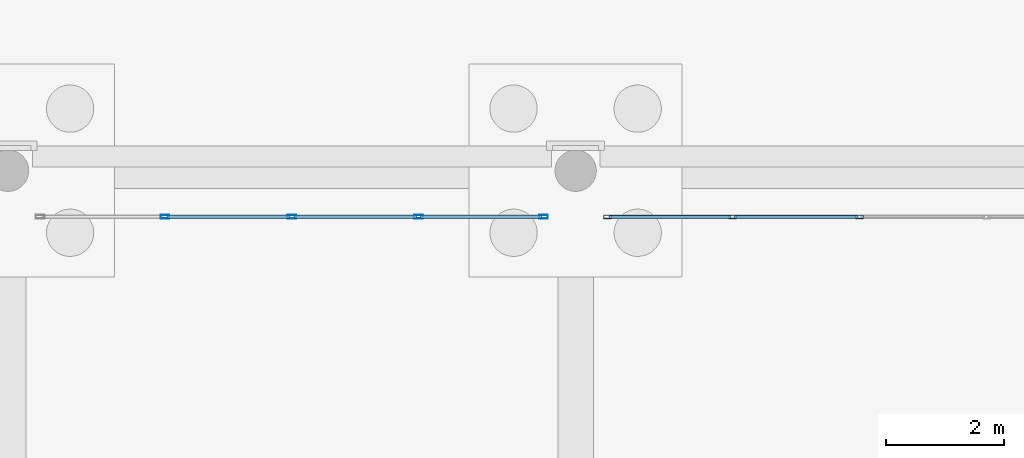
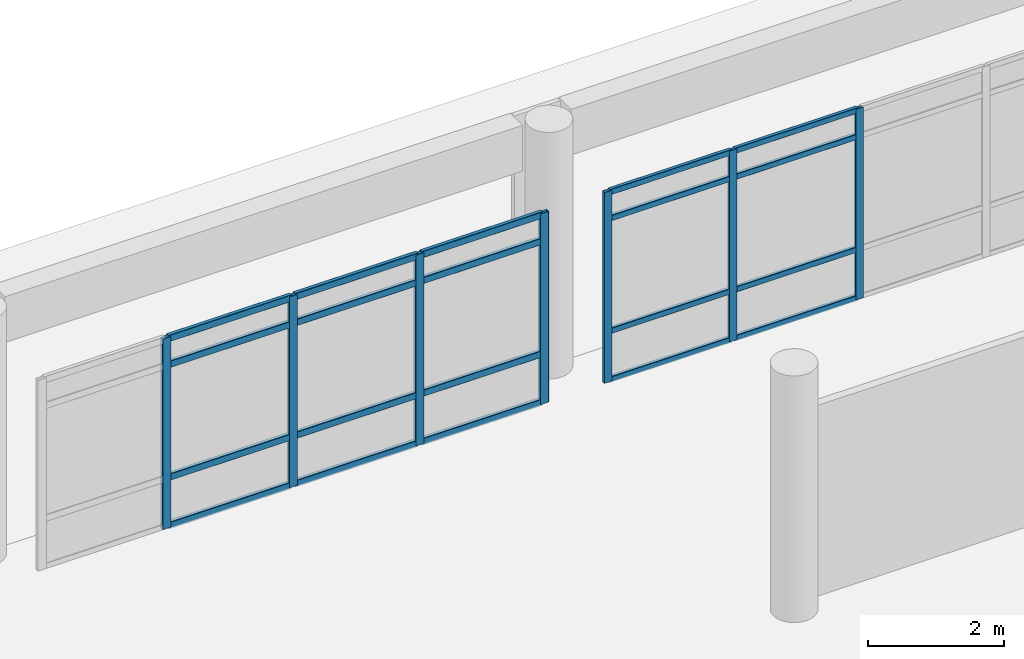
# One storey, part 137 of 196: 27 members, 2 elements without a shape of their own.
"""IFC4 building model written with IfcOpenShell, lengths in metres."""

from ifc_helpers import new_model, si_unit, direction, frame, origin, origin_2d, place, context, subcontext, project, spatial, hollow_rectangle, extrude, material, layer, layer_set, material_profile, profile_set, type_object, element, aggregate, save


model = new_model("IFC4")

# Units and contexts
model_context = context("Model", 3, precision=1e-05, world=origin(), true_north=direction((0.0, 1.0)))
body_context = subcontext(model_context, "Body", "Model", "MODEL_VIEW")
ifc_project = project(units=[si_unit("LENGTHUNIT", "METRE"), si_unit("AREAUNIT", "SQUARE_METRE"), si_unit("VOLUMEUNIT", "CUBIC_METRE"), si_unit("PLANEANGLEUNIT", "RADIAN"), si_unit("MASSUNIT", "GRAM", prefix="KILO")], contexts=[model_context])

# Site, building, storey
site_placement = place(None, origin())
site = spatial("IfcSite", under=ifc_project, at=site_placement, CompositionType="ELEMENT")
building_placement = place(site_placement, origin())
building = spatial("IfcBuilding", under=site, at=building_placement, Name="Asteropetra Specialist Clinic", CompositionType="ELEMENT")
storey_placement = place(building_placement, origin())
storey = spatial("IfcBuildingStorey", under=building, at=storey_placement, Name="L00", CompositionType="ELEMENT", Elevation=0.0)

# Curtain wall, members
ifc_material_1 = material(Name="Aluminium and low-E glass", Category="aluminium")
ifc_layer_1 = layer(ifc_material_1, 0.14990234375)
ifc_layer_set_1 = layer_set([ifc_layer_1], Name="Aluminium and low-E glass")
curtain_wall_type_1 = type_object("IfcCurtainWallType", Name="CW-SYS-11", PredefinedType="USERDEFINED", material=ifc_layer_set_1)
curtain_wall_1_placement = place(storey_placement, origin())
curtain_wall_1 = element("IfcCurtainWall", 1, at=curtain_wall_1_placement, inside=storey, type_object=curtain_wall_type_1, Name="Curtain Wall CW-212", ObjectType="STICK GLAZED COLONNADE", PredefinedType="USERDEFINED")
ifc_material_2 = material(Name="Aluminium 6063-T6", Category="aluminium")
ifc_material_profile_1 = material_profile(ifc_material_2, hollow_rectangle(XDim=0.06005859375, YDim=0.135009765625, WallThickness=0.00341796875, InnerFilletRadius=0.00341796875, OuterFilletRadius=0.007080078125, at=origin_2d()), Name="MUL 135x60x3.5")
ifc_profile_set_1 = profile_set([ifc_material_profile_1], Name="Aluminium 6063-T6")
member_type_1 = type_object("IfcMemberType", Name="CWM-135x60", PredefinedType="MULLION", material=ifc_profile_set_1)
member_1_placement = place(storey_placement, frame((139.199951171875, 104.820068359375, 0.0), z_axis=(0.0, 0.0, 1.0), x_axis=(0.0, -1.0, 0.0)))
member_1 = element("IfcMember", 2, at=member_1_placement, type_object=member_type_1, Name="CW-212 mullion 3", PredefinedType="MULLION", context=body_context, shape_type="SweptSolid", body=[
    extrude(hollow_rectangle(XDim=0.06005859375, YDim=0.135009765625, WallThickness=0.00341796875, InnerFilletRadius=0.00341796875, OuterFilletRadius=0.007080078125, at=origin_2d()), origin(), (0.0, 0.0, 1.0), 3.419921875),
])
member_2_placement = place(storey_placement, frame((137.054931640625, 104.820068359375, 0.0), z_axis=(0.0, 0.0, 1.0), x_axis=(0.0, -1.0, 0.0)))
member_2 = element("IfcMember", 3, at=member_2_placement, type_object=member_type_1, Name="CW-212 mullion 4", PredefinedType="MULLION", context=body_context, shape_type="SweptSolid", body=[
    extrude(hollow_rectangle(XDim=0.06005859375, YDim=0.135009765625, WallThickness=0.00341796875, InnerFilletRadius=0.00341796875, OuterFilletRadius=0.007080078125, at=origin_2d()), origin(), (0.0, 0.0, 1.0), 3.419921875),
])
member_3_placement = place(storey_placement, frame((134.93994140625, 104.820068359375, 0.0), z_axis=(0.0, 0.0, 1.0), x_axis=(0.0, -1.0, 0.0)))
member_3 = element("IfcMember", 4, at=member_3_placement, type_object=member_type_1, Name="CW-212 mullion 5", PredefinedType="MULLION", context=body_context, shape_type="SweptSolid", body=[
    extrude(hollow_rectangle(XDim=0.06005859375, YDim=0.135009765625, WallThickness=0.00341796875, InnerFilletRadius=0.00341796875, OuterFilletRadius=0.007080078125, at=origin_2d()), origin(), (0.0, 0.0, 1.0), 3.419921875),
])

ifc_material_3 = material(Name="Aluminium and low-E glass", Category="aluminium")
ifc_layer_2 = layer(ifc_material_3, 0.135009765625)
ifc_layer_set_2 = layer_set([ifc_layer_2], Name="Aluminium and low-E glass")
curtain_wall_type_2 = type_object("IfcCurtainWallType", Name="CW-SYS-09", PredefinedType="USERDEFINED", material=ifc_layer_set_2)
curtain_wall_2_placement = place(storey_placement, origin())
curtain_wall_2 = element("IfcCurtainWall", 5, at=curtain_wall_2_placement, inside=storey, type_object=curtain_wall_type_2, Name="Curtain Wall CW-211", ObjectType="STICK GLAZED COLONNADE", PredefinedType="USERDEFINED")
ifc_material_4 = material(Name="Aluminium 6063-T6", Category="aluminium")
ifc_material_profile_2 = material_profile(ifc_material_4, hollow_rectangle(XDim=0.06494140625, YDim=0.14990234375, WallThickness=0.00390625, InnerFilletRadius=0.00390625, OuterFilletRadius=0.008056640625, at=origin_2d()), Name="MUL 150x65x4.0")
ifc_profile_set_2 = profile_set([ifc_material_profile_2], Name="Aluminium 6063-T6")
member_type_2 = type_object("IfcMemberType", Name="CWM-150x65", PredefinedType="MULLION", material=ifc_profile_set_2)
member_4_placement = place(storey_placement, frame((133.857421875, 104.820068359375, 0.0), z_axis=(0.0, 0.0, 1.0), x_axis=(0.0, -1.0, 0.0)))
member_4 = element("IfcMember", 6, at=member_4_placement, type_object=member_type_2, Name="CW-211 mullion 1", PredefinedType="MULLION", context=body_context, shape_type="SweptSolid", body=[
    extrude(hollow_rectangle(XDim=0.06494140625, YDim=0.14990234375, WallThickness=0.00390625, InnerFilletRadius=0.00390625, OuterFilletRadius=0.008056640625, at=origin_2d()), origin(), (0.0, 0.0, 1.0), 3.419921875),
])
member_5_placement = place(storey_placement, frame((131.7451171875, 104.820068359375, 0.0), z_axis=(0.0, 0.0, 1.0), x_axis=(0.0, -1.0, 0.0)))
member_5 = element("IfcMember", 7, at=member_5_placement, type_object=member_type_2, Name="CW-211 mullion 2", PredefinedType="MULLION", context=body_context, shape_type="SweptSolid", body=[
    extrude(hollow_rectangle(XDim=0.06494140625, YDim=0.14990234375, WallThickness=0.00390625, InnerFilletRadius=0.00390625, OuterFilletRadius=0.008056640625, at=origin_2d()), origin(), (0.0, 0.0, 1.0), 3.419921875),
])
member_6_placement = place(storey_placement, frame((129.60009765625, 104.820068359375, 0.0), z_axis=(0.0, 0.0, 1.0), x_axis=(0.0, -1.0, 0.0)))
member_6 = element("IfcMember", 8, at=member_6_placement, type_object=member_type_2, Name="CW-211 mullion 3", PredefinedType="MULLION", context=body_context, shape_type="SweptSolid", body=[
    extrude(hollow_rectangle(XDim=0.06494140625, YDim=0.14990234375, WallThickness=0.00390625, InnerFilletRadius=0.00390625, OuterFilletRadius=0.008056640625, at=origin_2d()), origin(), (0.0, 0.0, 1.0), 3.419921875),
])
member_7_placement = place(storey_placement, frame((127.455078125, 104.820068359375, 0.0), z_axis=(0.0, 0.0, 1.0), x_axis=(0.0, -1.0, 0.0)))
member_7 = element("IfcMember", 9, at=member_7_placement, type_object=member_type_2, Name="CW-211 mullion 4", PredefinedType="MULLION", context=body_context, shape_type="SweptSolid", body=[
    extrude(hollow_rectangle(XDim=0.06494140625, YDim=0.14990234375, WallThickness=0.00390625, InnerFilletRadius=0.00390625, OuterFilletRadius=0.008056640625, at=origin_2d()), origin(), (0.0, 0.0, 1.0), 3.419921875),
])

# Member
ifc_material_5 = material(Name="Aluminium 6063-T6", Category="aluminium")
ifc_material_profile_3 = material_profile(ifc_material_5, hollow_rectangle(XDim=0.06005859375, YDim=0.10009765625, WallThickness=0.00341796875, InnerFilletRadius=0.00341796875, OuterFilletRadius=0.007080078125, at=origin_2d()), Name="TRN 100x60x3.5")
ifc_profile_set_3 = profile_set([ifc_material_profile_3], Name="Aluminium 6063-T6")
member_type_3 = type_object("IfcMemberType", Name="CWT-100x60", PredefinedType="USERDEFINED", material=ifc_profile_set_3)
member_8_placement = place(storey_placement, frame((139.169921875, 104.820068359375, 0.030029296875), z_axis=(-1.0, 0.0, 0.0), x_axis=(0.0, -1.0, 0.0)))
member_8 = element("IfcMember", 10, at=member_8_placement, type_object=member_type_3, Name="CW-212 transom 3.1", ObjectType="TRANSOM", PredefinedType="USERDEFINED", context=body_context, shape_type="SweptSolid", body=[
    extrude(hollow_rectangle(XDim=0.06005859375, YDim=0.10009765625, WallThickness=0.00341796875, InnerFilletRadius=0.00341796875, OuterFilletRadius=0.007080078125, at=origin_2d()), origin(), (0.0, 0.0, 1.0), 2.0849609375),
])

member_9_placement = place(storey_placement, frame((139.169921875, 104.820068359375, 0.89990234375), z_axis=(-1.0, 0.0, 0.0), x_axis=(0.0, -1.0, 0.0)))
member_9 = element("IfcMember", 11, at=member_9_placement, type_object=member_type_3, Name="CW-212 transom 3.2", ObjectType="TRANSOM", PredefinedType="USERDEFINED", context=body_context, shape_type="SweptSolid", body=[
    extrude(hollow_rectangle(XDim=0.06005859375, YDim=0.10009765625, WallThickness=0.00341796875, InnerFilletRadius=0.00341796875, OuterFilletRadius=0.007080078125, at=origin_2d()), origin(), (0.0, 0.0, 1.0), 2.0849609375),
])

member_10_placement = place(storey_placement, frame((139.169921875, 104.820068359375, 2.919921875), z_axis=(-1.0, 0.0, 0.0), x_axis=(0.0, -1.0, 0.0)))
member_10 = element("IfcMember", 12, at=member_10_placement, type_object=member_type_3, Name="CW-212 transom 3.3", ObjectType="TRANSOM", PredefinedType="USERDEFINED", context=body_context, shape_type="SweptSolid", body=[
    extrude(hollow_rectangle(XDim=0.06005859375, YDim=0.10009765625, WallThickness=0.00341796875, InnerFilletRadius=0.00341796875, OuterFilletRadius=0.007080078125, at=origin_2d()), origin(), (0.0, 0.0, 1.0), 2.0849609375),
])

member_11_placement = place(storey_placement, frame((139.169921875, 104.820068359375, 3.389892578125), z_axis=(-1.0, 0.0, 0.0), x_axis=(0.0, -1.0, 0.0)))
member_11 = element("IfcMember", 13, at=member_11_placement, type_object=member_type_3, Name="CW-212 transom 3.4", ObjectType="TRANSOM", PredefinedType="USERDEFINED", context=body_context, shape_type="SweptSolid", body=[
    extrude(hollow_rectangle(XDim=0.06005859375, YDim=0.10009765625, WallThickness=0.00341796875, InnerFilletRadius=0.00341796875, OuterFilletRadius=0.007080078125, at=origin_2d()), origin(), (0.0, 0.0, 1.0), 2.0849609375),
])

member_12_placement = place(storey_placement, frame((137.02490234375, 104.820068359375, 0.030029296875), z_axis=(-1.0, 0.0, 0.0), x_axis=(0.0, -1.0, 0.0)))
member_12 = element("IfcMember", 14, at=member_12_placement, type_object=member_type_3, Name="CW-212 transom 4.1", ObjectType="TRANSOM", PredefinedType="USERDEFINED", context=body_context, shape_type="SweptSolid", body=[
    extrude(hollow_rectangle(XDim=0.06005859375, YDim=0.10009765625, WallThickness=0.00341796875, InnerFilletRadius=0.00341796875, OuterFilletRadius=0.007080078125, at=origin_2d()), origin(), (0.0, 0.0, 1.0), 2.054931640625),
])

member_13_placement = place(storey_placement, frame((137.02490234375, 104.820068359375, 0.89990234375), z_axis=(-1.0, 0.0, 0.0), x_axis=(0.0, -1.0, 0.0)))
member_13 = element("IfcMember", 15, at=member_13_placement, type_object=member_type_3, Name="CW-212 transom 4.2", ObjectType="TRANSOM", PredefinedType="USERDEFINED", context=body_context, shape_type="SweptSolid", body=[
    extrude(hollow_rectangle(XDim=0.06005859375, YDim=0.10009765625, WallThickness=0.00341796875, InnerFilletRadius=0.00341796875, OuterFilletRadius=0.007080078125, at=origin_2d()), origin(), (0.0, 0.0, 1.0), 2.054931640625),
])

member_14_placement = place(storey_placement, frame((137.02490234375, 104.820068359375, 2.919921875), z_axis=(-1.0, 0.0, 0.0), x_axis=(0.0, -1.0, 0.0)))
member_14 = element("IfcMember", 16, at=member_14_placement, type_object=member_type_3, Name="CW-212 transom 4.3", ObjectType="TRANSOM", PredefinedType="USERDEFINED", context=body_context, shape_type="SweptSolid", body=[
    extrude(hollow_rectangle(XDim=0.06005859375, YDim=0.10009765625, WallThickness=0.00341796875, InnerFilletRadius=0.00341796875, OuterFilletRadius=0.007080078125, at=origin_2d()), origin(), (0.0, 0.0, 1.0), 2.054931640625),
])

member_15_placement = place(storey_placement, frame((137.02490234375, 104.820068359375, 3.389892578125), z_axis=(-1.0, 0.0, 0.0), x_axis=(0.0, -1.0, 0.0)))
member_15 = element("IfcMember", 17, at=member_15_placement, type_object=member_type_3, Name="CW-212 transom 4.4", ObjectType="TRANSOM", PredefinedType="USERDEFINED", context=body_context, shape_type="SweptSolid", body=[
    extrude(hollow_rectangle(XDim=0.06005859375, YDim=0.10009765625, WallThickness=0.00341796875, InnerFilletRadius=0.00341796875, OuterFilletRadius=0.007080078125, at=origin_2d()), origin(), (0.0, 0.0, 1.0), 2.054931640625),
])

aggregate(curtain_wall_1, [member_1, member_2, member_3, member_8, member_9, member_10, member_11, member_12, member_13, member_14, member_15])

ifc_material_6 = material(Name="Aluminium 6063-T6", Category="aluminium")
ifc_material_profile_4 = material_profile(ifc_material_6, hollow_rectangle(XDim=0.06494140625, YDim=0.1201171875, WallThickness=0.00390625, InnerFilletRadius=0.00390625, OuterFilletRadius=0.008056640625, at=origin_2d()), Name="TRN 120x65x4.0")
ifc_profile_set_4 = profile_set([ifc_material_profile_4], Name="Aluminium 6063-T6")
member_type_4 = type_object("IfcMemberType", Name="CWT-120x65", PredefinedType="USERDEFINED", material=ifc_profile_set_4)
member_16_placement = place(storey_placement, frame((133.824951171875, 104.820068359375, 0.032470703125), z_axis=(-1.0, 0.0, 0.0), x_axis=(0.0, -1.0, 0.0)))
member_16 = element("IfcMember", 18, at=member_16_placement, type_object=member_type_4, Name="CW-211 transom 1.1", ObjectType="TRANSOM", PredefinedType="USERDEFINED", context=body_context, shape_type="SweptSolid", body=[
    extrude(hollow_rectangle(XDim=0.06494140625, YDim=0.1201171875, WallThickness=0.00390625, InnerFilletRadius=0.00390625, OuterFilletRadius=0.008056640625, at=origin_2d()), origin(), (0.0, 0.0, 1.0), 2.04736328125),
])

member_17_placement = place(storey_placement, frame((133.824951171875, 104.820068359375, 0.89990234375), z_axis=(-1.0, 0.0, 0.0), x_axis=(0.0, -1.0, 0.0)))
member_17 = element("IfcMember", 19, at=member_17_placement, type_object=member_type_4, Name="CW-211 transom 1.2", ObjectType="TRANSOM", PredefinedType="USERDEFINED", context=body_context, shape_type="SweptSolid", body=[
    extrude(hollow_rectangle(XDim=0.06494140625, YDim=0.1201171875, WallThickness=0.00390625, InnerFilletRadius=0.00390625, OuterFilletRadius=0.008056640625, at=origin_2d()), origin(), (0.0, 0.0, 1.0), 2.04736328125),
])

member_18_placement = place(storey_placement, frame((133.824951171875, 104.820068359375, 2.919921875), z_axis=(-1.0, 0.0, 0.0), x_axis=(0.0, -1.0, 0.0)))
member_18 = element("IfcMember", 20, at=member_18_placement, type_object=member_type_4, Name="CW-211 transom 1.3", ObjectType="TRANSOM", PredefinedType="USERDEFINED", context=body_context, shape_type="SweptSolid", body=[
    extrude(hollow_rectangle(XDim=0.06494140625, YDim=0.1201171875, WallThickness=0.00390625, InnerFilletRadius=0.00390625, OuterFilletRadius=0.008056640625, at=origin_2d()), origin(), (0.0, 0.0, 1.0), 2.04736328125),
])

member_19_placement = place(storey_placement, frame((133.824951171875, 104.820068359375, 3.387451171875), z_axis=(-1.0, 0.0, 0.0), x_axis=(0.0, -1.0, 0.0)))
member_19 = element("IfcMember", 21, at=member_19_placement, type_object=member_type_4, Name="CW-211 transom 1.4", ObjectType="TRANSOM", PredefinedType="USERDEFINED", context=body_context, shape_type="SweptSolid", body=[
    extrude(hollow_rectangle(XDim=0.06494140625, YDim=0.1201171875, WallThickness=0.00390625, InnerFilletRadius=0.00390625, OuterFilletRadius=0.008056640625, at=origin_2d()), origin(), (0.0, 0.0, 1.0), 2.04736328125),
])

member_20_placement = place(storey_placement, frame((131.71240234375, 104.820068359375, 0.032470703125), z_axis=(-1.0, 0.0, 0.0), x_axis=(0.0, -1.0, 0.0)))
member_20 = element("IfcMember", 22, at=member_20_placement, type_object=member_type_4, Name="CW-211 transom 2.1", ObjectType="TRANSOM", PredefinedType="USERDEFINED", context=body_context, shape_type="SweptSolid", body=[
    extrude(hollow_rectangle(XDim=0.06494140625, YDim=0.1201171875, WallThickness=0.00390625, InnerFilletRadius=0.00390625, OuterFilletRadius=0.008056640625, at=origin_2d()), origin(), (0.0, 0.0, 1.0), 2.079833984375),
])

member_21_placement = place(storey_placement, frame((131.71240234375, 104.820068359375, 0.89990234375), z_axis=(-1.0, 0.0, 0.0), x_axis=(0.0, -1.0, 0.0)))
member_21 = element("IfcMember", 23, at=member_21_placement, type_object=member_type_4, Name="CW-211 transom 2.2", ObjectType="TRANSOM", PredefinedType="USERDEFINED", context=body_context, shape_type="SweptSolid", body=[
    extrude(hollow_rectangle(XDim=0.06494140625, YDim=0.1201171875, WallThickness=0.00390625, InnerFilletRadius=0.00390625, OuterFilletRadius=0.008056640625, at=origin_2d()), origin(), (0.0, 0.0, 1.0), 2.079833984375),
])

member_22_placement = place(storey_placement, frame((131.71240234375, 104.820068359375, 2.919921875), z_axis=(-1.0, 0.0, 0.0), x_axis=(0.0, -1.0, 0.0)))
member_22 = element("IfcMember", 24, at=member_22_placement, type_object=member_type_4, Name="CW-211 transom 2.3", ObjectType="TRANSOM", PredefinedType="USERDEFINED", context=body_context, shape_type="SweptSolid", body=[
    extrude(hollow_rectangle(XDim=0.06494140625, YDim=0.1201171875, WallThickness=0.00390625, InnerFilletRadius=0.00390625, OuterFilletRadius=0.008056640625, at=origin_2d()), origin(), (0.0, 0.0, 1.0), 2.079833984375),
])

member_23_placement = place(storey_placement, frame((131.71240234375, 104.820068359375, 3.387451171875), z_axis=(-1.0, 0.0, 0.0), x_axis=(0.0, -1.0, 0.0)))
member_23 = element("IfcMember", 25, at=member_23_placement, type_object=member_type_4, Name="CW-211 transom 2.4", ObjectType="TRANSOM", PredefinedType="USERDEFINED", context=body_context, shape_type="SweptSolid", body=[
    extrude(hollow_rectangle(XDim=0.06494140625, YDim=0.1201171875, WallThickness=0.00390625, InnerFilletRadius=0.00390625, OuterFilletRadius=0.008056640625, at=origin_2d()), origin(), (0.0, 0.0, 1.0), 2.079833984375),
])

member_24_placement = place(storey_placement, frame((129.5673828125, 104.820068359375, 0.032470703125), z_axis=(-1.0, 0.0, 0.0), x_axis=(0.0, -1.0, 0.0)))
member_24 = element("IfcMember", 26, at=member_24_placement, type_object=member_type_4, Name="CW-211 transom 3.1", ObjectType="TRANSOM", PredefinedType="USERDEFINED", context=body_context, shape_type="SweptSolid", body=[
    extrude(hollow_rectangle(XDim=0.06494140625, YDim=0.1201171875, WallThickness=0.00390625, InnerFilletRadius=0.00390625, OuterFilletRadius=0.008056640625, at=origin_2d()), origin(), (0.0, 0.0, 1.0), 2.079833984375),
])

member_25_placement = place(storey_placement, frame((129.5673828125, 104.820068359375, 0.89990234375), z_axis=(-1.0, 0.0, 0.0), x_axis=(0.0, -1.0, 0.0)))
member_25 = element("IfcMember", 27, at=member_25_placement, type_object=member_type_4, Name="CW-211 transom 3.2", ObjectType="TRANSOM", PredefinedType="USERDEFINED", context=body_context, shape_type="SweptSolid", body=[
    extrude(hollow_rectangle(XDim=0.06494140625, YDim=0.1201171875, WallThickness=0.00390625, InnerFilletRadius=0.00390625, OuterFilletRadius=0.008056640625, at=origin_2d()), origin(), (0.0, 0.0, 1.0), 2.079833984375),
])

member_26_placement = place(storey_placement, frame((129.5673828125, 104.820068359375, 2.919921875), z_axis=(-1.0, 0.0, 0.0), x_axis=(0.0, -1.0, 0.0)))
member_26 = element("IfcMember", 28, at=member_26_placement, type_object=member_type_4, Name="CW-211 transom 3.3", ObjectType="TRANSOM", PredefinedType="USERDEFINED", context=body_context, shape_type="SweptSolid", body=[
    extrude(hollow_rectangle(XDim=0.06494140625, YDim=0.1201171875, WallThickness=0.00390625, InnerFilletRadius=0.00390625, OuterFilletRadius=0.008056640625, at=origin_2d()), origin(), (0.0, 0.0, 1.0), 2.079833984375),
])

member_27_placement = place(storey_placement, frame((129.5673828125, 104.820068359375, 3.387451171875), z_axis=(-1.0, 0.0, 0.0), x_axis=(0.0, -1.0, 0.0)))
member_27 = element("IfcMember", 29, at=member_27_placement, type_object=member_type_4, Name="CW-211 transom 3.4", ObjectType="TRANSOM", PredefinedType="USERDEFINED", context=body_context, shape_type="SweptSolid", body=[
    extrude(hollow_rectangle(XDim=0.06494140625, YDim=0.1201171875, WallThickness=0.00390625, InnerFilletRadius=0.00390625, OuterFilletRadius=0.008056640625, at=origin_2d()), origin(), (0.0, 0.0, 1.0), 2.079833984375),
])

aggregate(curtain_wall_2, [member_4, member_5, member_6, member_7, member_16, member_17, member_18, member_19, member_20, member_21, member_22, member_23, member_24, member_25, member_26, member_27])

save(model, "model.ifc")
